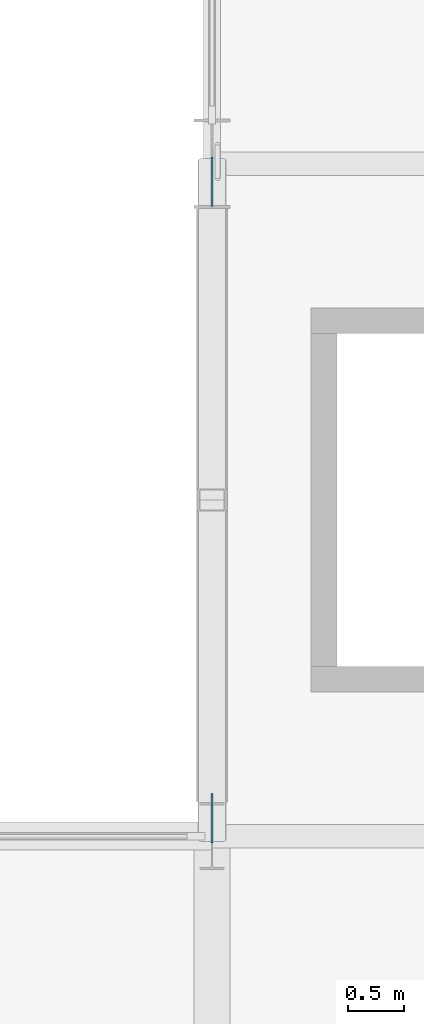
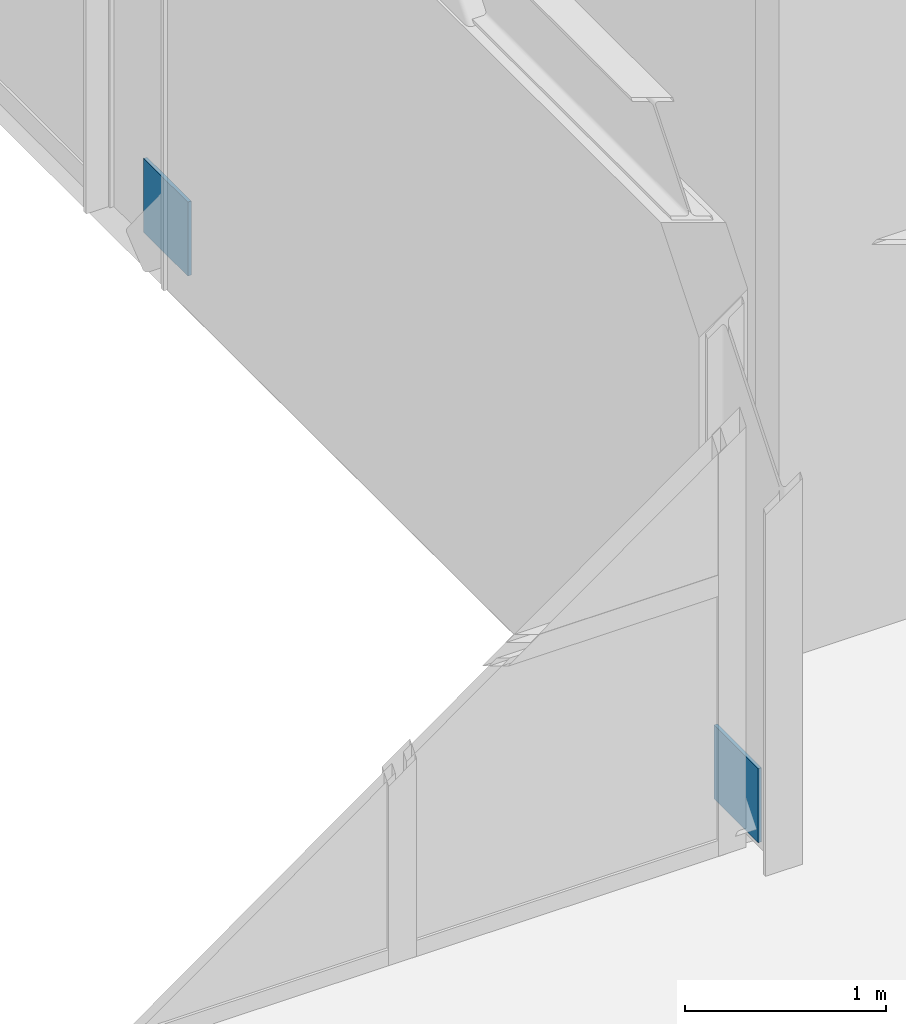
# One storey, part 103 of 116: 2 discrete accessories.
"""IFC4 building model written with IfcOpenShell, lengths in metres."""

from ifc_helpers import new_model, si_unit, direction, frame, origin, origin_2d, place, context, subcontext, project, spatial, rectangle, extrude, material, layer, layer_set, type_object, element, save


model = new_model("IFC4")

# Units and contexts
model_context = context("Model", 3, precision=1e-05, world=origin(), true_north=direction((0.0, 1.0)))
body_context = subcontext(model_context, "Body", "Model", "MODEL_VIEW")
ifc_project = project(units=[si_unit("LENGTHUNIT", "METRE"), si_unit("AREAUNIT", "SQUARE_METRE"), si_unit("VOLUMEUNIT", "CUBIC_METRE"), si_unit("PLANEANGLEUNIT", "RADIAN"), si_unit("MASSUNIT", "GRAM", prefix="KILO")], contexts=[model_context])

# Site, building, storey
site_placement = place(None, origin())
site = spatial("IfcSite", under=ifc_project, at=site_placement, CompositionType="ELEMENT")
building_placement = place(site_placement, origin())
building = spatial("IfcBuilding", under=site, at=building_placement, Name="Varnakota Square Police Headquarters", CompositionType="ELEMENT")
storey_placement = place(building_placement, frame((0.0, 0.0, 9.300048828125)))
storey = spatial("IfcBuildingStorey", under=building, at=storey_placement, Name="L02", CompositionType="ELEMENT", Elevation=9.300048828125)

# Discrete accessories
ifc_material = material(Name="Steel IS 2062 Grade 350", Category="steel")
ifc_layer = layer(ifc_material, 0.64990234375, Name="Steel IS 2062 Grade 350")
ifc_layer_set = layer_set([ifc_layer], Name="Steel IS 2062 Grade 350")
discrete_accessory_type = type_object("IfcDiscreteAccessoryType", Name="ACC-EMB-350", PredefinedType="BRACKET", material=ifc_layer_set)
for number, where, z_axis, x_axis, name in (
    (1, (138.0, 15.159912109375, 0.02490234375), (0.0, 0.0, 1.0), (0.0, 1.0, 0.0), "Brace gusset connection plate BF2 L02 L"),
    (2, (138.0, 20.840087890625, 0.02490234375), (0.0, 0.0, 1.0), (0.0, 1.0, 0.0), "Brace gusset connection plate BF2 L02 R"),
):
    element("IfcDiscreteAccessory", number, at=place(storey_placement, frame(where, z_axis=z_axis, x_axis=x_axis)), inside=storey, type_object=discrete_accessory_type, Name=name, PredefinedType="BRACKET", context=body_context, shape_type="SweptSolid", body=[
        extrude(rectangle(XDim=0.43994140625, YDim=0.02001953125, at=origin_2d()), origin(), (0.0, 0.0, 1.0), 0.449951171875),
    ])

save(model, "model.ifc")
